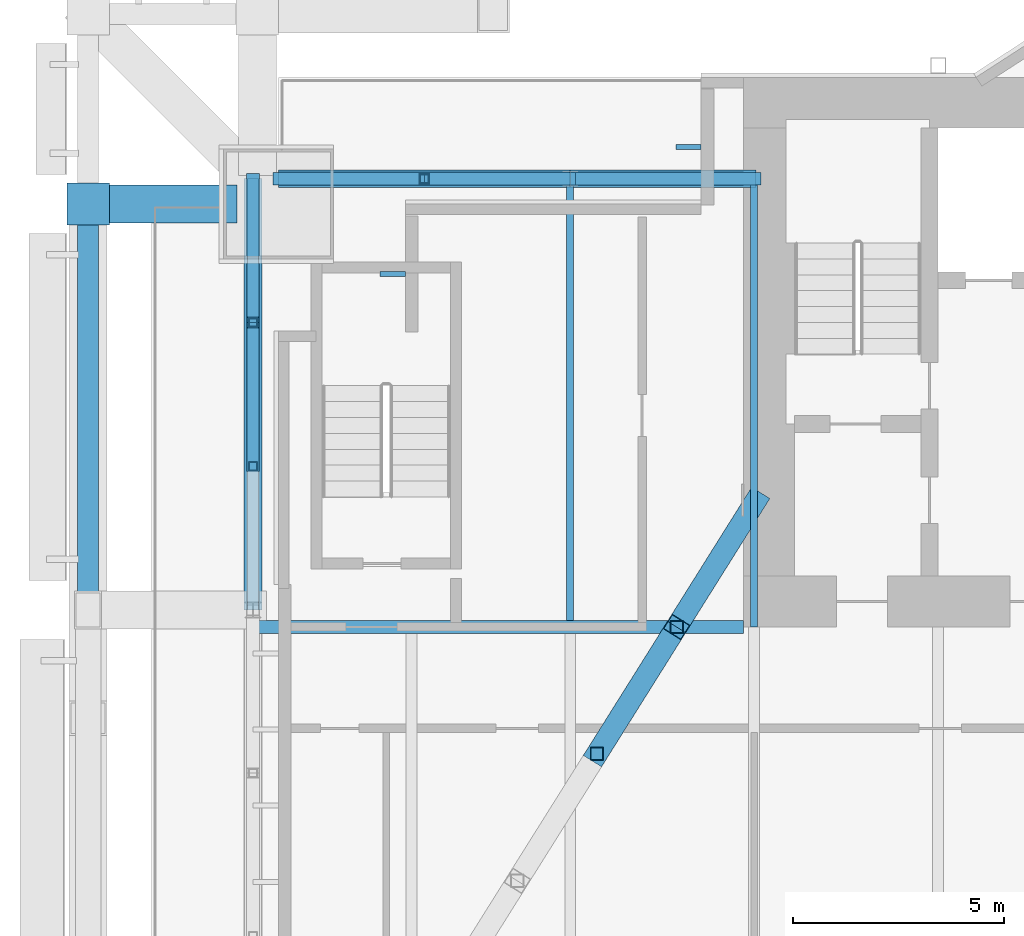
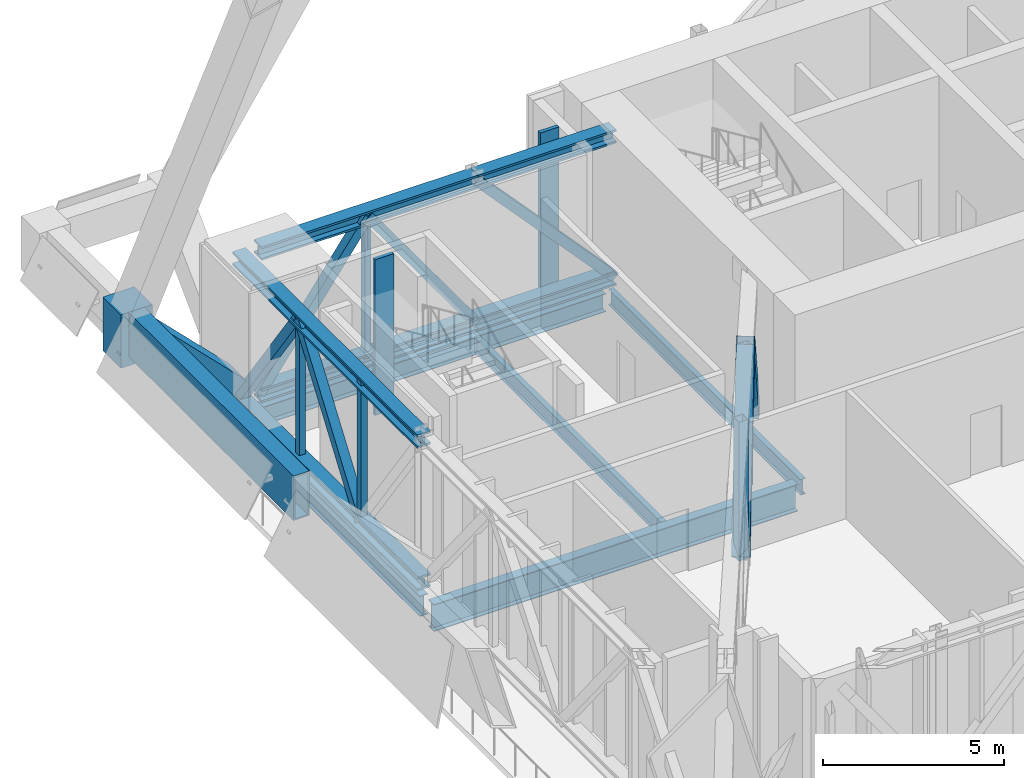
# One storey, part 10 of 31: 22 members, 7 beams, 1 element without a shape of its own.
"""IFC4 building model written with IfcOpenShell, lengths in metres."""

import ifcopenshell
import ifcopenshell.guid

model = None  # the IFC model being written
_history = None  # IfcOwnerHistory: only IFC2X3 demands one
_inside = {}  # id of a spatial element -> (the spatial element, [elements in it])
_under = {}  # id of a project, library or spatial element -> (it, [spatial elements below it])
_declared = {}  # id of a project -> (the project, [libraries it declares])
_typed = {}  # id of a type object -> (the type object, [elements of that type])
_made_of = {}  # id of a material, layer set ... -> (it, [elements and type objects made of it])


def new_model(schema):
    """Start an empty IFC model of exactly this schema.

    Asked for "IFC4X3", IfcOpenShell would pick the latest addendum, in which some entities
    have other attributes; the version numbers below select the first issue.
    IFC2X3 requires an IfcOwnerHistory on every rooted entity: one is made here for all.
    """
    global model, _history
    if schema == "IFC4X3":
        model = ifcopenshell.file(schema_version=(4, 3, 0, 0))
    else:
        model = ifcopenshell.file(schema=schema)
    _inside.clear()
    _under.clear()
    _declared.clear()
    _typed.clear()
    _made_of.clear()
    _history = None
    if model.schema == "IFC2X3":
        org = make("IfcOrganization", Name="unknown")
        user = make(
            "IfcPersonAndOrganization",
            ThePerson=make("IfcPerson", FamilyName="unknown"),
            TheOrganization=org,
        )
        app = make(
            "IfcApplication",
            ApplicationDeveloper=org,
            Version="unknown",
            ApplicationFullName="unknown",
            ApplicationIdentifier="unknown",
        )
        _history = make(
            "IfcOwnerHistory",
            OwningUser=user,
            OwningApplication=app,
            ChangeAction="ADDED",
            CreationDate=0,
        )
    return model


def make(cls, **values):
    """One entity of the class cls with the attributes given. An attribute that is None is left unset."""
    return model.create_entity(
        cls, **{name: value for name, value in values.items() if value is not None}
    )


def rooted(cls, **values):
    """An entity with a GlobalId (a new one), such as an element, a storey or a relation."""
    return make(cls, GlobalId=ifcopenshell.guid.new(), OwnerHistory=_history, **values)


def si_unit(unit_type, name, prefix=None):
    """IfcSIUnit, for example si_unit("LENGTHUNIT", "METRE", prefix="MILLI")."""
    return make("IfcSIUnit", UnitType=unit_type, Prefix=prefix, Name=name)


def assignment(units):
    """IfcUnitAssignment: the units of a project."""
    return None if units is None else make("IfcUnitAssignment", Units=units)


def point(xyz):
    """IfcCartesianPoint."""
    return None if xyz is None else make("IfcCartesianPoint", Coordinates=xyz)


def direction(xyz):
    """IfcDirection."""
    return None if xyz is None else make("IfcDirection", DirectionRatios=xyz)


def frame(location, z_axis=None, x_axis=None):
    """IfcAxis2Placement3D, a coordinate frame: its origin and axes. An axis left out is left unset."""
    return make(
        "IfcAxis2Placement3D",
        Location=point(location),
        Axis=direction(z_axis),
        RefDirection=direction(x_axis),
    )


def frame_2d(location, x_axis=None):
    """IfcAxis2Placement2D, a coordinate frame in the plane: its origin and x axis."""
    return make(
        "IfcAxis2Placement2D", Location=point(location), RefDirection=direction(x_axis)
    )


def origin():
    """The frame at (0, 0, 0) with its axes left unset."""
    return frame((0.0, 0.0, 0.0))


def origin_2d():
    """The frame at (0, 0) in the plane with its x axis left unset."""
    return frame_2d((0.0, 0.0))


def place(relative_to, where):
    """IfcLocalPlacement: puts the frame where relative to a parent placement (None: the world)."""
    return make(
        "IfcLocalPlacement", PlacementRelTo=relative_to, RelativePlacement=where
    )


def context(
    kind, dimensions, precision=None, world=None, true_north=None, identifier=None
):
    """IfcGeometricRepresentationContext, for example the 3D "Model" context."""
    return make(
        "IfcGeometricRepresentationContext",
        ContextIdentifier=identifier,
        ContextType=kind,
        CoordinateSpaceDimension=dimensions,
        Precision=precision,
        WorldCoordinateSystem=world,
        TrueNorth=true_north,
    )


def subcontext(parent, identifier, kind, view, scale=None):
    """IfcGeometricRepresentationSubContext, for example "Body" below "Model"."""
    return make(
        "IfcGeometricRepresentationSubContext",
        ContextIdentifier=identifier,
        ContextType=kind,
        ParentContext=parent,
        TargetScale=scale,
        TargetView=view,
    )


def project(units=None, contexts=None):
    """IfcProject with its units and contexts."""
    return rooted(
        "IfcProject",
        Name="project",
        RepresentationContexts=contexts,
        UnitsInContext=assignment(units),
    )


def spatial(cls, under=None, at=None, **own):
    """A site, building, storey or space (cls), placed at a placement, below another one or the project."""
    s = rooted(cls, ObjectPlacement=at, **own)
    if under is not None:
        _under.setdefault(under.id(), (under, []))[1].append(s)
    return s


def profile(cls, at=None, kind="AREA", **sizes):
    """A parametric profile (cls). Its sizes go by their IFC names, for example OverallWidth=200.0."""
    return make(cls, ProfileType=kind, Position=at, **sizes)


def rectangle(**sizes):
    """IfcRectangleProfileDef."""
    return profile("IfcRectangleProfileDef", **sizes)


def hollow_rectangle(**sizes):
    """IfcRectangleHollowProfileDef."""
    return profile("IfcRectangleHollowProfileDef", **sizes)


def i_section(**sizes):
    """IfcIShapeProfileDef."""
    return profile("IfcIShapeProfileDef", **sizes)


def extrude(swept, where, along, depth):
    """IfcExtrudedAreaSolid: the profile swept, set in the frame where, extruded along a direction by depth."""
    return make(
        "IfcExtrudedAreaSolid",
        SweptArea=swept,
        Position=where,
        ExtrudedDirection=direction(along),
        Depth=depth,
    )


def shape(context_of_items, identifier, shape_type, items):
    """IfcShapeRepresentation: the items that make up one representation, for example the "Body"."""
    return make(
        "IfcShapeRepresentation",
        ContextOfItems=context_of_items,
        RepresentationIdentifier=identifier,
        RepresentationType=shape_type,
        Items=items,
    )


def material(Name=None, Category=None):
    """IfcMaterial."""
    return make("IfcMaterial", Name=Name, Category=Category)


def material_profile(
    of_material, cross_section, Name=None, Category=None, Priority=None
):
    """IfcMaterialProfile: a cross section and its material."""
    return make(
        "IfcMaterialProfile",
        Name=Name,
        Material=of_material,
        Profile=cross_section,
        Priority=Priority,
        Category=Category,
    )


def profile_set(profiles, Name=None, composite=None):
    """IfcMaterialProfileSet."""
    return make(
        "IfcMaterialProfileSet",
        Name=Name,
        MaterialProfiles=profiles,
        CompositeProfile=composite,
    )


def made_of(thing, what):
    """Note that an element or type object is made of a material, layer set ...; save() writes the relation."""
    if what is not None:
        _made_of.setdefault(what.id(), (what, []))[1].append(thing)
    return thing


def type_object(cls, material=None, **own):
    """A type object (cls), such as IfcWallType, which elements share."""
    return made_of(rooted(cls, **own), material)


def element(
    cls,
    number,
    at=None,
    inside=None,
    cuts=None,
    type_object=None,
    material=None,
    context=None,
    identifier="Body",
    shape_type=None,
    held_by="IfcProductDefinitionShape",
    body=None,
    shapes=None,
    **own,
):
    """One element of the class cls, such as IfcWall. Its Tag is "e" and its number.

    at: its placement. inside: the storey or other place that contains it. cuts: it is an
    opening in that element (IfcRelVoidsElement). A single representation is given by context,
    identifier, shape_type and body (its items); several are given by shapes. held_by: the class
    of the entity that holds the representations. save() writes the other relations.
    """
    e = rooted(cls, Tag="e%d" % number, ObjectPlacement=at, **own)
    if body is not None:
        shapes = [shape(context, identifier, shape_type, body)]
    if shapes is not None:
        e.Representation = make(held_by, Representations=shapes)
    if inside is not None:
        _inside.setdefault(inside.id(), (inside, []))[1].append(e)
    if cuts is not None:
        rooted(
            "IfcRelVoidsElement", RelatingBuildingElement=cuts, RelatedOpeningElement=e
        )
    if type_object is not None:
        _typed.setdefault(type_object.id(), (type_object, []))[1].append(e)
    return made_of(e, material)


def aggregate(whole, parts):
    """IfcRelAggregates: a whole, such as a stair, and the parts it consists of."""
    return rooted("IfcRelAggregates", RelatingObject=whole, RelatedObjects=parts)


def save(model, path):
    """Write the relations noted so far, then the file.

    IfcRelAggregates (storeys below a building ...), IfcRelContainedInSpatialStructure (elements
    in a storey), IfcRelDefinesByType, IfcRelAssociatesMaterial and IfcRelDeclares: one each for
    every whole, place, type object, material and project.
    """
    for whole, parts in _under.values():
        aggregate(whole, parts)
    for where, things in _inside.values():
        rooted(
            "IfcRelContainedInSpatialStructure",
            RelatedElements=things,
            RelatingStructure=where,
        )
    for kind, things in _typed.values():
        rooted("IfcRelDefinesByType", RelatedObjects=things, RelatingType=kind)
    for what, things in _made_of.values():
        rooted("IfcRelAssociatesMaterial", RelatedObjects=things, RelatingMaterial=what)
    for by, libraries in _declared.values():
        rooted("IfcRelDeclares", RelatingContext=by, RelatedDefinitions=libraries)
    model.write(path)


model = new_model("IFC4")

# Units and contexts
model_context = context("Model", 3, precision=1e-05, world=origin(), true_north=direction((0.0, 1.0)))
body_context = subcontext(model_context, "Body", "Model", "MODEL_VIEW")
ifc_project = project(units=[si_unit("LENGTHUNIT", "METRE"), si_unit("AREAUNIT", "SQUARE_METRE"), si_unit("VOLUMEUNIT", "CUBIC_METRE"), si_unit("PLANEANGLEUNIT", "RADIAN"), si_unit("MASSUNIT", "GRAM", prefix="KILO")], contexts=[model_context])

# Site, building, storey
site_placement = place(None, origin())
site = spatial("IfcSite", under=ifc_project, at=site_placement, CompositionType="ELEMENT")
building_placement = place(site_placement, origin())
building = spatial("IfcBuilding", under=site, at=building_placement, Name="Bicima Exchange Tower", CompositionType="ELEMENT")
storey_placement = place(building_placement, frame((0.0, 0.0, 236.0)))
storey = spatial("IfcBuildingStorey", under=building, at=storey_placement, Name="L53", CompositionType="ELEMENT", Elevation=236.0)

# Curtain wall, members
ifc_material_1 = material(Name="Anodised bronze aluminium", Category="aluminium")
curtain_wall_type = type_object("IfcCurtainWallType", Name="Band blade screen", PredefinedType="NOTDEFINED", material=ifc_material_1)
curtain_wall_placement = place(storey_placement, origin())
curtain_wall = element("IfcCurtainWall", 1, at=curtain_wall_placement, inside=storey, type_object=curtain_wall_type, Name="Band blade screen L53", PredefinedType="NOTDEFINED")
ifc_material_profile_1 = material_profile(ifc_material_1, rectangle(XDim=0.60009765625, YDim=0.1201171875, at=origin_2d()))
ifc_profile_set_1 = profile_set([ifc_material_profile_1], Name="Anodised bronze aluminium")
member_type_1 = type_object("IfcMemberType", Name="Band blade fin 600 x 120", PredefinedType="USERDEFINED", material=ifc_profile_set_1)
member_1_placement = place(storey_placement, frame((-23.300048828125, -1.64990234375, 0.0), z_axis=(0.0, 0.0, 1.0), x_axis=(1.0, 0.0, 0.0)))
member_1 = element("IfcMember", 2, at=member_1_placement, type_object=member_type_1, Name="Band blade fin 9", ObjectType="FIN", PredefinedType="USERDEFINED", context=body_context, shape_type="SweptSolid", body=[
    extrude(rectangle(XDim=0.60009765625, YDim=0.1201171875, at=origin_2d()), origin(), (0.0, 0.0, 1.0), 5.25),
])
member_2_placement = place(storey_placement, frame((-30.300048828125, -4.64990234375, 0.0), z_axis=(0.0, 0.0, 1.0), x_axis=(1.0, 0.0, 0.0)))
member_2 = element("IfcMember", 3, at=member_2_placement, type_object=member_type_1, Name="Band blade fin 10", ObjectType="FIN", PredefinedType="USERDEFINED", context=body_context, shape_type="SweptSolid", body=[
    extrude(rectangle(XDim=0.60009765625, YDim=0.1201171875, at=origin_2d()), origin(), (0.0, 0.0, 1.0), 5.25),
])
aggregate(curtain_wall, [member_1, member_2])

# Beam
ifc_material_2 = material(Name="Steel ASTM A572 Gr 50", Category="steel")
ifc_material_profile_2 = material_profile(ifc_material_2, hollow_rectangle(XDim=0.5, YDim=1.5, WallThickness=0.050048828125, at=origin_2d()))
ifc_profile_set_2 = profile_set([ifc_material_profile_2], Name="Steel ASTM A572 Gr 50")
beam_type_1 = type_object("IfcBeamType", Name="Belt girder BOX 500x1500x50", PredefinedType="BEAM", material=ifc_profile_set_2)
beam_1_placement = place(storey_placement, frame((-37.5, -3.0, 4.5), z_axis=(0.0, -1.0, 0.0), x_axis=(1.0, 0.0, 0.0)))
element("IfcBeam", 4, at=beam_1_placement, inside=storey, type_object=beam_type_1, Name="Belt girder", PredefinedType="BEAM", context=body_context, shape_type="SweptSolid", body=[
    extrude(hollow_rectangle(XDim=0.5, YDim=1.5, WallThickness=0.050048828125, at=origin_2d()), origin(), (0.0, 0.0, 1.0), 9.60009765625),
])

# Members
ifc_material_3 = material(Name="Steel ASTM A992 Gr 50", Category="steel")
ifc_material_profile_3 = material_profile(ifc_material_3, i_section(OverallWidth=0.419189453125, OverallDepth=0.45458984375, WebThickness=0.042236328125, FlangeThickness=0.067626953125, at=origin_2d()))
ifc_profile_set_3 = profile_set([ifc_material_profile_3], Name="Steel ASTM A992 Gr 50")
member_type_2 = type_object("IfcMemberType", Name="Belt truss chord W14x370", PredefinedType="CHORD", material=ifc_profile_set_3)
for number, where, z_axis, x_axis, name in (
    (5, (-21.699951171875, -2.39990234375, 5.022705078125), (-1.0, 0.0, 0.0), (0.0, -1.0, 0.0), "Top chord"),
    (6, (-21.699951171875, -2.39990234375, 0.227294921875), (-1.0, 0.0, 0.0), (0.0, -1.0, 0.0), "Bottom chord"),
):
    element("IfcMember", number, at=place(storey_placement, frame(where, z_axis=z_axis, x_axis=x_axis)), inside=storey, type_object=member_type_2, Name=name, PredefinedType="CHORD", context=body_context, shape_type="SweptSolid", body=[
        extrude(i_section(OverallWidth=0.419189453125, OverallDepth=0.45458984375, WebThickness=0.042236328125, FlangeThickness=0.067626953125, at=origin_2d()), origin(), (0.0, 0.0, 1.0), 4.400146484375),
    ])
for number, where, z_axis, x_axis, name in (
    (7, (-26.10009765625, -2.39990234375, 5.022705078125), (-1.0, 0.0, 0.0), (0.0, -1.0, 0.0), "Top chord"),
    (8, (-26.10009765625, -2.39990234375, 0.227294921875), (-1.0, 0.0, 0.0), (0.0, -1.0, 0.0), "Bottom chord"),
):
    element("IfcMember", number, at=place(storey_placement, frame(where, z_axis=z_axis, x_axis=x_axis)), inside=storey, type_object=member_type_2, Name=name, PredefinedType="CHORD", context=body_context, shape_type="SweptSolid", body=[
        extrude(i_section(OverallWidth=0.419189453125, OverallDepth=0.45458984375, WebThickness=0.042236328125, FlangeThickness=0.067626953125, at=origin_2d()), origin(), (0.0, 0.0, 1.0), 6.89990234375),
    ])
for number, where, z_axis, x_axis, name in (
    (9, (-33.60009765625, -2.39990234375, 5.022705078125), (0.0, -1.0, 0.0), (1.0, 0.0, 0.0), "Top chord"),
    (10, (-33.60009765625, -2.39990234375, 0.227294921875), (0.0, -1.0, 0.0), (1.0, 0.0, 0.0), "Bottom chord"),
):
    element("IfcMember", number, at=place(storey_placement, frame(where, z_axis=z_axis, x_axis=x_axis)), inside=storey, type_object=member_type_2, Name=name, PredefinedType="CHORD", context=body_context, shape_type="SweptSolid", body=[
        extrude(i_section(OverallWidth=0.419189453125, OverallDepth=0.45458984375, WebThickness=0.042236328125, FlangeThickness=0.067626953125, at=origin_2d()), origin(), (0.0, 0.0, 1.0), 10.2001953125),
    ])
ifc_material_profile_4 = material_profile(ifc_material_2, hollow_rectangle(XDim=0.3046875, YDim=0.3046875, WallThickness=0.01171875, at=origin_2d()))
ifc_profile_set_4 = profile_set([ifc_material_profile_4], Name="Steel ASTM A572 Gr 50")
member_type_3 = type_object("IfcMemberType", Name="Belt truss diagonal HSS12x12x1/2", PredefinedType="STRUT", material=ifc_profile_set_4)
member_3_placement = place(storey_placement, frame((-21.699951171875, -2.39990234375, 0.227294921875), z_axis=(-0.676088063862, 0.0, 0.736820826187), x_axis=(0.0, -1.0, 0.0)))
element("IfcMember", 11, at=member_3_placement, inside=storey, type_object=member_type_3, Name="Truss diagonal", PredefinedType="STRUT", context=body_context, shape_type="SweptSolid", body=[
    extrude(hollow_rectangle(XDim=0.3046875, YDim=0.3046875, WallThickness=0.01171875, at=origin_2d()), origin(), (0.0, 0.0, 1.0), 6.50830078125),
])
for number, where, z_axis, x_axis, name in (
    (12, (-26.10009765625, -2.39990234375, 0.227294921875), (-0.583998756388, 0.0, 0.811754551905), (0.0, -1.0, 0.0), "Truss diagonal"),
    (13, (-29.550048828125, -2.39990234375, 5.022705078125), (-0.583998756388, 0.0, -0.811754551905), (0.0, -1.0, 0.0), "Truss diagonal"),
):
    element("IfcMember", number, at=place(storey_placement, frame(where, z_axis=z_axis, x_axis=x_axis)), inside=storey, type_object=member_type_3, Name=name, PredefinedType="STRUT", context=body_context, shape_type="SweptSolid", body=[
        extrude(hollow_rectangle(XDim=0.3046875, YDim=0.3046875, WallThickness=0.01171875, at=origin_2d()), origin(), (0.0, 0.0, 1.0), 5.907470703125),
    ])
for number, where, z_axis, x_axis, name in (
    (14, (-33.60009765625, -2.39990234375, 0.227294921875), (0.0, -0.578402146369, 0.815751774179), (1.0, 0.0, 0.0), "Truss diagonal"),
    (15, (-33.60009765625, -5.800048828125, 5.022705078125), (0.0, -0.578374508534, -0.815771369857), (1.0, 0.0, 0.0), "Truss diagonal"),
):
    element("IfcMember", number, at=place(storey_placement, frame(where, z_axis=z_axis, x_axis=x_axis)), inside=storey, type_object=member_type_3, Name=name, PredefinedType="STRUT", context=body_context, shape_type="SweptSolid", body=[
        extrude(hollow_rectangle(XDim=0.3046875, YDim=0.3046875, WallThickness=0.01171875, at=origin_2d()), origin(), (0.0, 0.0, 1.0), 5.87841796875),
    ])
ifc_material_profile_5 = material_profile(ifc_material_2, hollow_rectangle(XDim=0.203125, YDim=0.203125, WallThickness=0.01171875, at=origin_2d()))
ifc_profile_set_5 = profile_set([ifc_material_profile_5], Name="Steel ASTM A572 Gr 50")
member_type_4 = type_object("IfcMemberType", Name="Belt truss post HSS8x8x1/2", PredefinedType="POST", material=ifc_profile_set_5)
for number, where, z_axis, x_axis, name in (
    (16, (-29.550048828125, -2.39990234375, 0.227294921875), (0.0, 0.0, 1.0), (1.0, 0.0, 0.0), "Truss post"),
    (17, (-33.60009765625, -5.800048828125, 0.227294921875), (0.0, 0.0, 1.0), (1.0, 0.0, 0.0), "Truss post"),
    (18, (-33.60009765625, -9.199951171875, 0.227294921875), (0.0, 0.0, 1.0), (1.0, 0.0, 0.0), "Truss post"),
):
    element("IfcMember", number, at=place(storey_placement, frame(where, z_axis=z_axis, x_axis=x_axis)), inside=storey, type_object=member_type_4, Name=name, PredefinedType="POST", context=body_context, shape_type="SweptSolid", body=[
        extrude(hollow_rectangle(XDim=0.203125, YDim=0.203125, WallThickness=0.01171875, at=origin_2d()), origin(), (0.0, 0.0, 1.0), 4.79541015625),
    ])

# Beams
ifc_material_profile_6 = material_profile(ifc_material_3, i_section(OverallWidth=0.3046875, OverallDepth=0.911865234375, WebThickness=0.015869140625, FlangeThickness=0.02392578125, at=origin_2d()))
ifc_profile_set_6 = profile_set([ifc_material_profile_6], Name="Steel ASTM A992 Gr 50")
beam_type_2 = type_object("IfcBeamType", Name="Core-line girder W36x150", PredefinedType="BEAM", material=ifc_profile_set_6)
beam_2_placement = place(storey_placement, frame((-22.0, -13.0, -0.656005859375), z_axis=(-1.0, 0.0, 0.0), x_axis=(0.0, -1.0, 0.0)))
element("IfcBeam", 19, at=beam_2_placement, inside=storey, type_object=beam_type_2, Name="Core-line girder", PredefinedType="BEAM", context=body_context, shape_type="SweptSolid", body=[
    extrude(i_section(OverallWidth=0.3046875, OverallDepth=0.911865234375, WebThickness=0.015869140625, FlangeThickness=0.02392578125, at=origin_2d()), origin(), (0.0, 0.0, 1.0), 11.60009765625),
])
ifc_material_profile_7 = material_profile(ifc_material_3, i_section(OverallWidth=0.256591796875, OverallDepth=0.693359375, WebThickness=0.014404296875, FlangeThickness=0.023681640625, at=origin_2d()))
ifc_profile_set_7 = profile_set([ifc_material_profile_7], Name="Steel ASTM A992 Gr 50")
beam_type_3 = type_object("IfcBeamType", Name="End girder W27x114", PredefinedType="BEAM", material=ifc_profile_set_7)
beam_3_placement = place(storey_placement, frame((-33.60009765625, -2.39990234375, -0.546630859375), z_axis=(0.0, -1.0, 0.0), x_axis=(1.0, 0.0, 0.0)))
element("IfcBeam", 20, at=beam_3_placement, inside=storey, type_object=beam_type_3, Name="End girder", PredefinedType="BEAM", context=body_context, shape_type="SweptSolid", body=[
    extrude(i_section(OverallWidth=0.256591796875, OverallDepth=0.693359375, WebThickness=0.014404296875, FlangeThickness=0.023681640625, at=origin_2d()), origin(), (0.0, 0.0, 1.0), 10.2001953125),
])

# Members
ifc_material_4 = material(Name="Cast steel ASTM A216 Gr WCB", Category="steel")
ifc_material_profile_8 = material_profile(ifc_material_4, rectangle(XDim=1.0, YDim=1.0, at=origin_2d()))
ifc_profile_set_8 = profile_set([ifc_material_profile_8], Name="Cast steel ASTM A216 Gr WCB")
member_type_5 = type_object("IfcMemberType", Name="Exo node block", PredefinedType="POST", material=ifc_profile_set_8)
member_4_placement = place(storey_placement, frame((-37.5, -3.0, 3.449951171875), z_axis=(0.0, 0.0, 1.0), x_axis=(1.0, 0.0, 0.0)))
element("IfcMember", 21, at=member_4_placement, inside=storey, type_object=member_type_5, Name="Exo node block", PredefinedType="POST", context=body_context, shape_type="SweptSolid", body=[
    extrude(rectangle(XDim=1.0, YDim=1.0, at=origin_2d()), origin(), (0.0, 0.0, 1.0), 1.800048828125),
])
ifc_material_profile_9 = material_profile(ifc_material_2, hollow_rectangle(XDim=0.89990234375, YDim=0.89990234375, WallThickness=0.050048828125, at=origin_2d()))
ifc_profile_set_9 = profile_set([ifc_material_profile_9], Name="Steel ASTM A572 Gr 50")
member_type_6 = type_object("IfcMemberType", Name="Exo outrigger stub BOX 900x900x50", PredefinedType="STRUT", material=ifc_profile_set_9)
member_5_placement = place(storey_placement, frame((-34.300048828125, -3.0, 1.300048828125), z_axis=(-0.707106781187, 0.0, 0.707106781187), x_axis=(0.0, -1.0, 0.0)))
element("IfcMember", 22, at=member_5_placement, inside=storey, type_object=member_type_6, Name="Exo outrigger stub", PredefinedType="STRUT", context=body_context, shape_type="SweptSolid", body=[
    extrude(hollow_rectangle(XDim=0.89990234375, YDim=0.89990234375, WallThickness=0.050048828125, at=origin_2d()), origin(), (0.0, 0.0, 1.0), 4.525390625),
])

# Beams
ifc_material_profile_10 = material_profile(ifc_material_3, i_section(OverallWidth=0.165771484375, OverallDepth=0.5283203125, WebThickness=0.009765625, FlangeThickness=0.013671875, at=origin_2d()))
ifc_profile_set_10 = profile_set([ifc_material_profile_10], Name="Steel ASTM A992 Gr 50")
beam_type_4 = type_object("IfcBeamType", Name="Floor beam W21x50", PredefinedType="JOIST", material=ifc_profile_set_10)
beam_4_placement = place(storey_placement, frame((-26.10009765625, -2.5625, -0.464111328125), z_axis=(0.0, -1.0, 0.0), x_axis=(1.0, 0.0, 0.0)))
element("IfcBeam", 23, at=beam_4_placement, inside=storey, type_object=beam_type_4, Name="Floor beam", PredefinedType="JOIST", context=body_context, shape_type="SweptSolid", body=[
    extrude(i_section(OverallWidth=0.165771484375, OverallDepth=0.5283203125, WebThickness=0.009765625, FlangeThickness=0.013671875, at=origin_2d()), origin(), (0.0, 0.0, 1.0), 10.28515625),
])
beam_5_placement = place(storey_placement, frame((-21.75, -2.39990234375, -0.464111328125), z_axis=(0.0, -1.0, 0.0), x_axis=(1.0, 0.0, 0.0)))
element("IfcBeam", 24, at=beam_5_placement, inside=storey, type_object=beam_type_4, Name="Floor beam", PredefinedType="JOIST", context=body_context, shape_type="SweptSolid", body=[
    extrude(i_section(OverallWidth=0.165771484375, OverallDepth=0.5283203125, WebThickness=0.009765625, FlangeThickness=0.013671875, at=origin_2d()), origin(), (0.0, 0.0, 1.0), 10.60009765625),
])

# Members
ifc_material_profile_11 = material_profile(ifc_material_2, hollow_rectangle(XDim=0.508056640625, YDim=0.508056640625, WallThickness=0.017822265625, at=origin_2d()))
ifc_profile_set_11 = profile_set([ifc_material_profile_11], Name="Steel ASTM A572 Gr 50")
member_type_7 = type_object("IfcMemberType", Name="Outrigger truss diagonal HSS20x20x3/4", PredefinedType="STRUT", material=ifc_profile_set_11)
member_6_placement = place(storey_placement, frame((-21.699951171875, -10.0, 0.284423828125), z_axis=(-0.32077267781, -0.511265241596, 0.797315961151), x_axis=(0.847079707016, -0.531465869046, 0.0)))
element("IfcMember", 25, at=member_6_placement, inside=storey, type_object=member_type_7, Name="Truss diagonal", PredefinedType="STRUT", context=body_context, shape_type="SweptSolid", body=[
    extrude(hollow_rectangle(XDim=0.508056640625, YDim=0.508056640625, WallThickness=0.017822265625, at=origin_2d()), origin(), (0.0, 0.0, 1.0), 5.87109375),
])
member_7_placement = place(storey_placement, frame((-23.583251953125, -13.001708984375, 4.965576171875), z_axis=(-0.320809981541, -0.511258421651, -0.797305325477), x_axis=(0.847048690023, -0.531515302442, 0.0)))
element("IfcMember", 26, at=member_7_placement, inside=storey, type_object=member_type_7, Name="Truss diagonal", PredefinedType="STRUT", context=body_context, shape_type="SweptSolid", body=[
    extrude(hollow_rectangle(XDim=0.508056640625, YDim=0.508056640625, WallThickness=0.017822265625, at=origin_2d()), origin(), (0.0, 0.0, 1.0), 5.871337890625),
])
member_type_8 = type_object("IfcMemberType", Name="Outrigger truss post HSS12x12x1/2", PredefinedType="POST", material=ifc_profile_set_4)
for number, where, z_axis, x_axis, name in (
    (27, (-23.583251953125, -13.001708984375, 0.284423828125), (0.0, 0.0, 1.0), (1.0, 0.0, 0.0), "Truss post"),
    (28, (-25.466796875, -16.00341796875, 0.284423828125), (0.0, 0.0, 1.0), (1.0, 0.0, 0.0), "Truss post"),
):
    element("IfcMember", number, at=place(storey_placement, frame(where, z_axis=z_axis, x_axis=x_axis)), inside=storey, type_object=member_type_8, Name=name, PredefinedType="POST", context=body_context, shape_type="SweptSolid", body=[
        extrude(hollow_rectangle(XDim=0.3046875, YDim=0.3046875, WallThickness=0.01171875, at=origin_2d()), origin(), (0.0, 0.0, 1.0), 4.68115234375),
    ])

# Beams
ifc_material_profile_12 = material_profile(ifc_material_3, i_section(OverallWidth=0.3251953125, OverallDepth=0.612060546875, WebThickness=0.0126953125, FlangeThickness=0.01904296875, at=origin_2d()))
ifc_profile_set_12 = profile_set([ifc_material_profile_12], Name="Steel ASTM A992 Gr 50")
beam_type_5 = type_object("IfcBeamType", Name="Rear girder W24x104", PredefinedType="BEAM", material=ifc_profile_set_12)
beam_6_placement = place(storey_placement, frame((-22.0, -2.39990234375, -0.506103515625), z_axis=(-1.0, 0.0, 0.0), x_axis=(0.0, -1.0, 0.0)))
element("IfcBeam", 29, at=beam_6_placement, inside=storey, type_object=beam_type_5, Name="Rear girder", PredefinedType="BEAM", context=body_context, shape_type="SweptSolid", body=[
    extrude(i_section(OverallWidth=0.3251953125, OverallDepth=0.612060546875, WebThickness=0.0126953125, FlangeThickness=0.01904296875, at=origin_2d()), origin(), (0.0, 0.0, 1.0), 4.10009765625),
])
beam_7_placement = place(storey_placement, frame((-26.10009765625, -2.39990234375, -0.506103515625), z_axis=(-1.0, 0.0, 0.0), x_axis=(0.0, -1.0, 0.0)))
element("IfcBeam", 30, at=beam_7_placement, inside=storey, type_object=beam_type_5, Name="Rear girder", PredefinedType="BEAM", context=body_context, shape_type="SweptSolid", body=[
    extrude(i_section(OverallWidth=0.3251953125, OverallDepth=0.612060546875, WebThickness=0.0126953125, FlangeThickness=0.01904296875, at=origin_2d()), origin(), (0.0, 0.0, 1.0), 6.89990234375),
])

save(model, "model.ifc")
